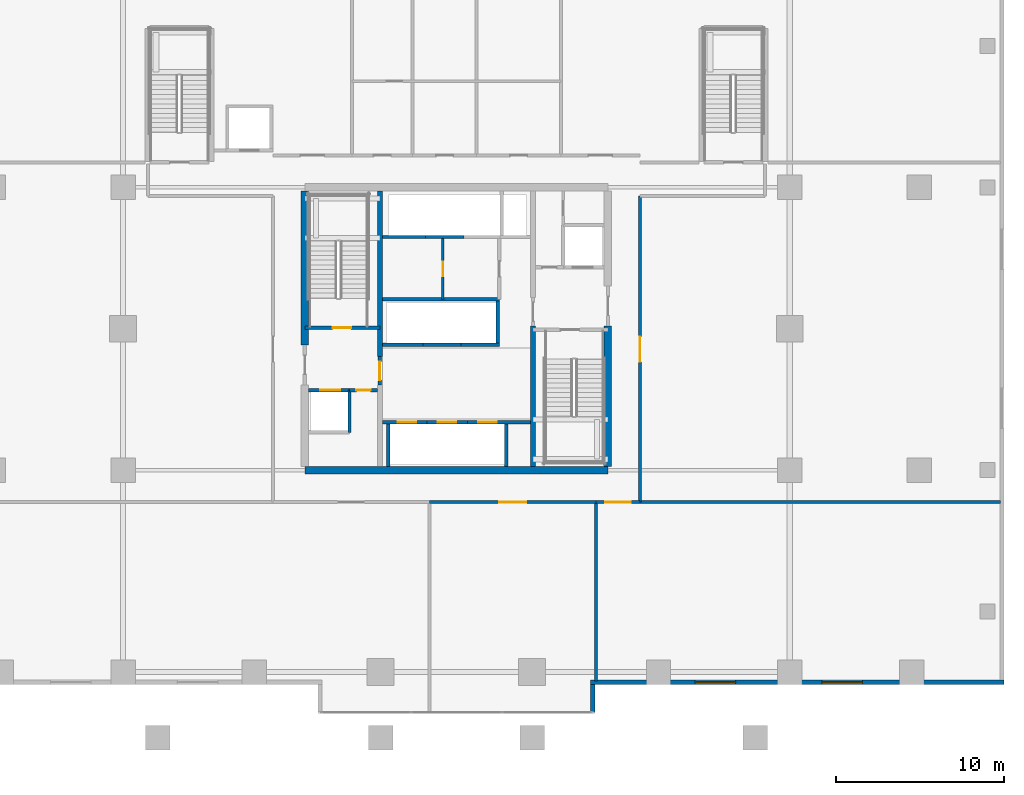
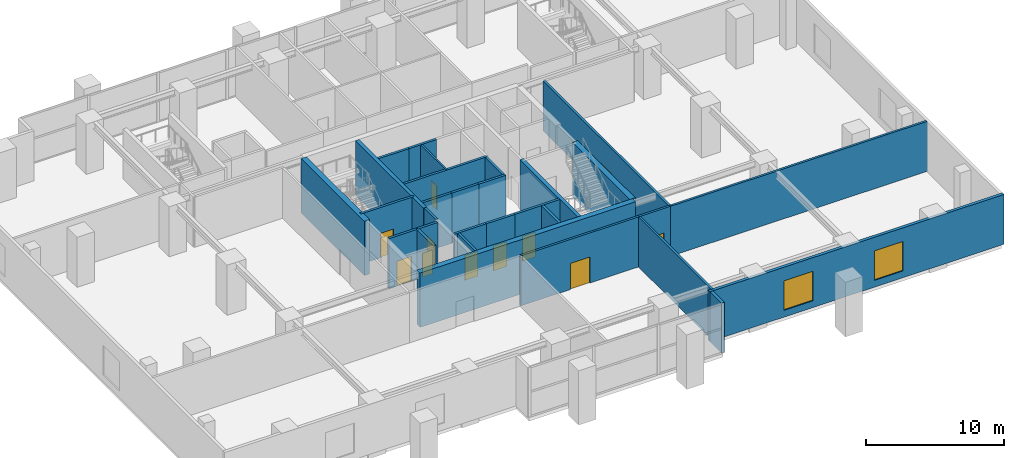
# One storey, part 13 of 20: 30 walls, 11 doors, 2 windows, 13 openings.
"""IFC4 building model written with IfcOpenShell, lengths in metres."""

from ifc_helpers import new_model, si_unit, direction, frame, frame_2d, origin, place, context, subcontext, project, spatial, rectangle, extrude, source, transform, mapped, material, layer, layer_set, type_object, element, fill, save


model = new_model("IFC4")

# Units and contexts
model_context = context("Model", 3, precision=1e-05, world=origin(), true_north=direction((0.0, 1.0)))
body_context = subcontext(model_context, "Body", "Model", "MODEL_VIEW")
ifc_project = project(units=[si_unit("LENGTHUNIT", "METRE"), si_unit("AREAUNIT", "SQUARE_METRE"), si_unit("VOLUMEUNIT", "CUBIC_METRE"), si_unit("PLANEANGLEUNIT", "RADIAN"), si_unit("MASSUNIT", "GRAM", prefix="KILO")], contexts=[model_context])

# Site, building, storey
site_placement = place(None, origin())
site = spatial("IfcSite", under=ifc_project, at=site_placement, CompositionType="ELEMENT")
building_placement = place(site_placement, origin())
building = spatial("IfcBuilding", under=site, at=building_placement, Name="Serunith Strait Residences", CompositionType="ELEMENT")
storey_placement = place(building_placement, frame((0.0, 0.0, 10.5)))
storey = spatial("IfcBuildingStorey", under=building, at=storey_placement, Name="L02", CompositionType="ELEMENT", Elevation=10.5)

# Wall
ifc_material_1 = material(Name="Pale-Silver Aluminium Terracotta-Backed Wall", Category="masonry")
ifc_layer_1 = layer(ifc_material_1, 0.25, Name="Pale-Silver Aluminium Terracotta-Backed Wall")
ifc_layer_set_1 = layer_set([ifc_layer_1], Name="Pale-Silver Aluminium Terracotta-Backed Wall")
wall_type_1 = type_object("IfcWallType", Name="EW-POD-250", PredefinedType="ELEMENTEDWALL", material=ifc_layer_set_1)
wall_1_placement = place(storey_placement, frame((40.5, 2.39990234375, 0.0), z_axis=(0.0, 0.0, 1.0), x_axis=(0.0, 1.0, 0.0)))
element("IfcWall", 1, at=wall_1_placement, inside=storey, type_object=wall_type_1, Name="L02 Podium Envelope Wall 4", PredefinedType="ELEMENTEDWALL", context=body_context, shape_type="SweptSolid", body=[
    extrude(rectangle(XDim=1.675048828125, YDim=0.25, at=frame_2d((0.83740234375, 0.0))), origin(), (0.0, 0.0, 1.0), 4.405029296875),
])

# Wall, openings, windows
wall_2_placement = place(storey_placement, frame((40.375, 4.199951171875, 0.0), z_axis=(0.0, 0.0, 1.0), x_axis=(1.0, 0.0, 0.0)))
wall_2 = element("IfcWall", 2, at=wall_2_placement, inside=storey, type_object=wall_type_1, Name="L02 Podium Envelope Wall 5", PredefinedType="ELEMENTEDWALL", context=body_context, shape_type="SweptSolid", body=[
    extrude(rectangle(XDim=24.550048828125, YDim=0.25, at=frame_2d((12.27490234375, 0.0))), origin(), (0.0, 0.0, 1.0), 4.405029296875),
])
opening_1_placement = place(wall_2_placement, frame((6.201904296875, 0.0, 0.60009765625)))
opening_1 = element("IfcOpeningElement", 3, at=opening_1_placement, cuts=wall_2, Name="Opening W-08", PredefinedType="OPENING", context=body_context, shape_type="SweptSolid", body=[
    extrude(rectangle(XDim=2.39990234375, YDim=2.60009765625, at=frame_2d((1.199951171875, 1.300048828125))), frame((0.0, 0.135009765625, 0.0), z_axis=(0.0, -1.0, 0.0), x_axis=(1.0, 0.0, 0.0)), (0.0, 0.0, 1.0), 0.27001953125),
])
opening_2_placement = place(wall_2_placement, frame((13.73291015625, 0.0, 0.60009765625)))
opening_2 = element("IfcOpeningElement", 4, at=opening_2_placement, cuts=wall_2, Name="Opening W-08", PredefinedType="OPENING", context=body_context, shape_type="SweptSolid", body=[
    extrude(rectangle(XDim=2.39990234375, YDim=2.60009765625, at=frame_2d((1.199951171875, 1.300048828125))), frame((0.0, 0.135009765625, 0.0), z_axis=(0.0, -1.0, 0.0), x_axis=(1.0, 0.0, 0.0)), (0.0, 0.0, 1.0), 0.27001953125),
])
ifc_material_2 = material(Name="Podium Club Operable Window Glass", Category="glass")
window_type = type_object("IfcWindowType", Name="WIN-POD2", PartitioningType="DOUBLE_PANEL_VERTICAL", PredefinedType="WINDOW", material=ifc_material_2)
shared_shape_1 = source(origin(), body_context, "Body", "SweptSolid", [
    extrude(rectangle(XDim=2.39990234375, YDim=2.60009765625, at=frame_2d((1.199951171875, 1.300048828125))), frame((0.0, 0.030029296875, 0.0), z_axis=(0.0, -1.0, 0.0), x_axis=(1.0, 0.0, 0.0)), (0.0, 0.0, 1.0), 0.06005859375),
])
window_1_placement = place(opening_1_placement, origin())
window_1 = element("IfcWindow", 5, at=window_1_placement, inside=storey, type_object=window_type, Name="L02 Podium Window 5A", OverallHeight=2.60009765625, OverallWidth=2.39990234375, PartitioningType="SINGLE_PANEL", PredefinedType="WINDOW", context=body_context, shape_type="MappedRepresentation", body=[
    mapped(shared_shape_1, transform((0.0, 0.0, 0.0), scale=1.0)),
])
fill(opening_1, window_1)
window_2_placement = place(opening_2_placement, origin())
window_2 = element("IfcWindow", 6, at=window_2_placement, inside=storey, type_object=window_type, Name="L02 Podium Window 5B", OverallHeight=2.60009765625, OverallWidth=2.39990234375, PartitioningType="SINGLE_PANEL", PredefinedType="WINDOW", context=body_context, shape_type="MappedRepresentation", body=[
    mapped(shared_shape_1, transform((0.0, 0.0, 0.0), scale=1.0)),
])
fill(opening_2, window_2)

# Wall, opening, door
ifc_material_3 = material(Name="Fire-rated masonry service closet wall", Category="masonry")
ifc_layer_2 = layer(ifc_material_3, 0.14990234375, Name="Fire-rated masonry service closet wall")
ifc_layer_set_2 = layer_set([ifc_layer_2], Name="Fire-rated masonry service closet wall")
wall_type_2 = type_object("IfcWallType", Name="IW-BOH-150", PredefinedType="PARTITIONING", material=ifc_layer_set_2)
wall_3_placement = place(storey_placement, frame((31.60009765625, 26.949951171875, 0.0), z_axis=(0.0, 0.0, 1.0), x_axis=(0.0, 1.0, 0.0)))
wall_3 = element("IfcWall", 7, at=wall_3_placement, inside=storey, type_object=wall_type_2, Name="L02 Partition Wall 014", PredefinedType="PARTITIONING", context=body_context, shape_type="SweptSolid", body=[
    extrude(rectangle(XDim=3.60009765625, YDim=0.14990234375, at=frame_2d((1.800048828125, 0.0))), origin(), (0.0, 0.0, 1.0), 4.419921875),
])
opening_3_placement = place(wall_3_placement, frame((1.375, 0.0, 0.0)))
opening_3 = element("IfcOpeningElement", 8, at=opening_3_placement, cuts=wall_3, Name="Opening FD-850", PredefinedType="OPENING", context=body_context, shape_type="SweptSolid", body=[
    extrude(rectangle(XDim=0.85009765625, YDim=2.10009765625, at=frame_2d((0.425048828125, 1.050048828125))), frame((0.0, 0.0849609375, 0.0), z_axis=(0.0, -1.0, 0.0), x_axis=(1.0, 0.0, 0.0)), (0.0, 0.0, 1.0), 0.169921875),
])
ifc_material_4 = material(Name="Powder-coated steel service closet door", Category="steel")
door_type_1 = type_object("IfcDoorType", Name="FD-BOH-850", OperationType="NOTDEFINED", PredefinedType="DOOR", material=ifc_material_4)
shared_shape_2 = source(origin(), body_context, "Body", "SweptSolid", [
    extrude(rectangle(XDim=0.85009765625, YDim=2.10009765625, at=frame_2d((0.425048828125, 1.050048828125))), frame((0.0, 0.02490234375, 0.0), z_axis=(0.0, -1.0, 0.0), x_axis=(1.0, 0.0, 0.0)), (0.0, 0.0, 1.0), 0.050048828125),
])
door_1_placement = place(opening_3_placement, origin())
door_1 = element("IfcDoor", 9, at=door_1_placement, inside=storey, type_object=door_type_1, Name="L02 Zone Telecoms Door", OperationType="SINGLE_SWING_LEFT", OverallHeight=2.10009765625, OverallWidth=0.85009765625, PredefinedType="DOOR", context=body_context, shape_type="MappedRepresentation", body=[
    mapped(shared_shape_2, transform((0.0, 0.0, 0.0), scale=1.0)),
])
fill(opening_3, door_1)

# Wall
ifc_material_5 = material(Name="Fire-rated acoustic gypsum partition")
ifc_layer_3 = layer(ifc_material_5, 0.179931640625, Name="Fire-rated acoustic gypsum partition")
ifc_layer_set_3 = layer_set([ifc_layer_3], Name="Fire-rated acoustic gypsum partition")
wall_type_3 = type_object("IfcWallType", Name="IW-CORR-180", PredefinedType="PARTITIONING", material=ifc_layer_set_3)
wall_4_placement = place(storey_placement, frame((43.300048828125, 14.89990234375, 0.0), z_axis=(0.0, 0.0, 1.0), x_axis=(1.0, 0.0, 0.0)))
element("IfcWall", 10, at=wall_4_placement, inside=storey, type_object=wall_type_3, Name="L02 Partition Wall 016", PredefinedType="PARTITIONING", context=body_context, shape_type="SweptSolid", body=[
    extrude(rectangle(XDim=21.41796875, YDim=0.179931640625, at=frame_2d((10.708984375, 0.0))), origin(), (0.0, 0.0, 1.0), 4.419921875),
])

# Wall, opening, door
wall_5_placement = place(storey_placement, frame((43.300048828125, 14.89990234375, 0.0), z_axis=(0.0, 0.0, 1.0), x_axis=(0.0, 1.0, 0.0)))
wall_5 = element("IfcWall", 11, at=wall_5_placement, inside=storey, type_object=wall_type_3, Name="L02 Partition Wall 026", PredefinedType="PARTITIONING", context=body_context, shape_type="SweptSolid", body=[
    extrude(rectangle(XDim=18.18017578125, YDim=0.179931640625, at=frame_2d((9.090087890625, 0.0))), origin(), (0.0, 0.0, 1.0), 4.419921875),
])
opening_4_placement = place(wall_5_placement, frame((8.340087890625, 0.0, 0.0)))
opening_4 = element("IfcOpeningElement", 12, at=opening_4_placement, cuts=wall_5, Name="Opening D-POD1500", PredefinedType="OPENING", context=body_context, shape_type="SweptSolid", body=[
    extrude(rectangle(XDim=1.5, YDim=2.25, at=frame_2d((0.75, 1.125))), frame((0.0, 0.10009765625, 0.0), z_axis=(0.0, -1.0, 0.0), x_axis=(1.0, 0.0, 0.0)), (0.0, 0.0, 1.0), 0.199951171875),
])
ifc_material_6 = material(Name="Pale-champagne aluminium glazed double door", Category="aluminium")
door_type_2 = type_object("IfcDoorType", Name="ID-POD-1500", OperationType="DOUBLE_DOOR_SINGLE_SWING", PredefinedType="DOOR", material=ifc_material_6)
shared_shape_3 = source(origin(), body_context, "Body", "SweptSolid", [
    extrude(rectangle(XDim=1.5, YDim=2.25, at=frame_2d((0.75, 1.125))), frame((0.0, 0.02490234375, 0.0), z_axis=(0.0, -1.0, 0.0), x_axis=(1.0, 0.0, 0.0)), (0.0, 0.0, 1.0), 0.050048828125),
])
door_2_placement = place(opening_4_placement, origin())
door_2 = element("IfcDoor", 13, at=door_2_placement, inside=storey, type_object=door_type_2, Name="L02 East Wing Suite Door", OperationType="DOUBLE_DOOR_SINGLE_SWING", OverallHeight=2.25, OverallWidth=1.5, PredefinedType="DOOR", context=body_context, shape_type="MappedRepresentation", body=[
    mapped(shared_shape_3, transform((0.0, 0.0, 0.0), scale=1.0)),
])
fill(opening_4, door_2)

wall_6_placement = place(storey_placement, frame((30.802001953125, 14.89990234375, 0.0), z_axis=(0.0, 0.0, 1.0), x_axis=(1.0, 0.0, 0.0)))
wall_6 = element("IfcWall", 14, at=wall_6_placement, inside=storey, type_object=wall_type_3, Name="L02 Partition Wall 032", PredefinedType="PARTITIONING", context=body_context, shape_type="SweptSolid", body=[
    extrude(rectangle(XDim=9.89794921875, YDim=0.179931640625, at=frame_2d((4.948974609375, 0.0))), origin(), (0.0, 0.0, 1.0), 4.419921875),
])
opening_5_placement = place(wall_6_placement, frame((4.14892578125, 0.0, 0.0)))
opening_5 = element("IfcOpeningElement", 15, at=opening_5_placement, cuts=wall_6, Name="Opening D-POD1600", PredefinedType="OPENING", context=body_context, shape_type="SweptSolid", body=[
    extrude(rectangle(XDim=1.60009765625, YDim=2.300048828125, at=frame_2d((0.800048828125, 1.14990234375))), frame((0.0, 0.10009765625, 0.0), z_axis=(0.0, -1.0, 0.0), x_axis=(1.0, 0.0, 0.0)), (0.0, 0.0, 1.0), 0.199951171875),
])
ifc_material_7 = material(Name="Pale-champagne aluminium glazed concourse door", Category="aluminium")
door_type_3 = type_object("IfcDoorType", Name="ID-POD-1600", OperationType="DOUBLE_DOOR_SINGLE_SWING", PredefinedType="DOOR", material=ifc_material_7)
shared_shape_4 = source(origin(), body_context, "Body", "SweptSolid", [
    extrude(rectangle(XDim=1.60009765625, YDim=2.300048828125, at=frame_2d((0.800048828125, 1.14990234375))), frame((0.0, 0.02490234375, 0.0), z_axis=(0.0, -1.0, 0.0), x_axis=(1.0, 0.0, 0.0)), (0.0, 0.0, 1.0), 0.050048828125),
])
door_3_placement = place(opening_5_placement, origin())
door_3 = element("IfcDoor", 16, at=door_3_placement, inside=storey, type_object=door_type_3, Name="L02 South Central Lounge Door", OperationType="DOUBLE_DOOR_SINGLE_SWING", OverallHeight=2.300048828125, OverallWidth=1.60009765625, PredefinedType="DOOR", context=body_context, shape_type="MappedRepresentation", body=[
    mapped(shared_shape_4, transform((0.0, 0.0, 0.0), scale=1.0)),
])
fill(opening_5, door_3)

wall_7_placement = place(storey_placement, frame((40.701904296875, 14.89990234375, 0.0), z_axis=(0.0, 0.0, 1.0), x_axis=(1.0, 0.0, 0.0)))
wall_7 = element("IfcWall", 17, at=wall_7_placement, inside=storey, type_object=wall_type_3, Name="L02 Partition Wall 033", PredefinedType="PARTITIONING", context=body_context, shape_type="SweptSolid", body=[
    extrude(rectangle(XDim=2.59619140625, YDim=0.179931640625, at=frame_2d((1.298095703125, 0.0))), origin(), (0.0, 0.0, 1.0), 4.419921875),
])
opening_6_placement = place(wall_7_placement, frame((0.548095703125, 0.0, 0.0)))
opening_6 = element("IfcOpeningElement", 18, at=opening_6_placement, cuts=wall_7, Name="Opening D-POD1500", PredefinedType="OPENING", context=body_context, shape_type="SweptSolid", body=[
    extrude(rectangle(XDim=1.5, YDim=2.25, at=frame_2d((0.75, 1.125))), frame((0.0, 0.10009765625, 0.0), z_axis=(0.0, -1.0, 0.0), x_axis=(1.0, 0.0, 0.0)), (0.0, 0.0, 1.0), 0.199951171875),
])
door_4_placement = place(opening_6_placement, origin())
door_4 = element("IfcDoor", 19, at=door_4_placement, inside=storey, type_object=door_type_2, Name="L02 South-East Suite Door", OperationType="DOUBLE_DOOR_SINGLE_SWING", OverallHeight=2.25, OverallWidth=1.5, PredefinedType="DOOR", context=body_context, shape_type="MappedRepresentation", body=[
    mapped(shared_shape_3, transform((0.0, 0.0, 0.0), scale=1.0)),
])
fill(opening_6, door_4)

# Wall
wall_8_placement = place(storey_placement, frame((40.699951171875, 4.281982421875, 0.0), z_axis=(0.0, 0.0, 1.0), x_axis=(0.0, 1.0, 0.0)))
element("IfcWall", 20, at=wall_8_placement, inside=storey, type_object=wall_type_3, Name="L02 Partition Wall 040", PredefinedType="PARTITIONING", context=body_context, shape_type="SweptSolid", body=[
    extrude(rectangle(XDim=10.617919921875, YDim=0.179931640625, at=frame_2d((5.30908203125, 0.0))), origin(), (0.0, 0.0, 1.0), 4.419921875),
])

# Wall, opening, door
ifc_material_8 = material(Name="Autoclaved aerated concrete blockwork", Category="masonry")
ifc_layer_4 = layer(ifc_material_8, 0.199951171875, Name="Autoclaved aerated concrete blockwork")
ifc_layer_set_4 = layer_set([ifc_layer_4], Name="Autoclaved aerated concrete blockwork")
wall_type_4 = type_object("IfcWallType", Name="IW-SHAFT-200", PredefinedType="STANDARD", material=ifc_layer_set_4)
wall_9_placement = place(storey_placement, frame((23.39990234375, 25.25, 0.0), z_axis=(0.0, 0.0, 1.0), x_axis=(1.0, 0.0, 0.0)))
wall_9 = element("IfcWall", 21, at=wall_9_placement, inside=storey, type_object=wall_type_4, Name="L02 ST-1 South Shaft Wall", PredefinedType="STANDARD", context=body_context, shape_type="SweptSolid", body=[
    extrude(rectangle(XDim=4.4501953125, YDim=0.199951171875, at=frame_2d((2.22509765625, 0.0))), origin(), (0.0, 0.0, 1.0), 4.419921875),
])
opening_7_placement = place(wall_9_placement, frame((1.64990234375, 0.0, 0.0)))
opening_7 = element("IfcOpeningElement", 22, at=opening_7_placement, cuts=wall_9, Name="Opening FD-1100", PredefinedType="OPENING", context=body_context, shape_type="SweptSolid", body=[
    extrude(rectangle(XDim=1.10009765625, YDim=2.14990234375, at=frame_2d((0.550048828125, 1.074951171875))), frame((0.0, 0.10986328125, 0.0), z_axis=(0.0, -1.0, 0.0), x_axis=(1.0, 0.0, 0.0)), (0.0, 0.0, 1.0), 0.219970703125),
])
ifc_material_9 = material(Name="Galvanised steel fire door leaf", Category="steel")
door_type_4 = type_object("IfcDoorType", Name="FD-STAIR-1100", OperationType="NOTDEFINED", PredefinedType="DOOR", material=ifc_material_9)
shared_shape_5 = source(origin(), body_context, "Body", "SweptSolid", [
    extrude(rectangle(XDim=1.10009765625, YDim=2.14990234375, at=frame_2d((0.550048828125, 1.074951171875))), frame((0.0, 0.02490234375, 0.0), z_axis=(0.0, -1.0, 0.0), x_axis=(1.0, 0.0, 0.0)), (0.0, 0.0, 1.0), 0.050048828125),
])
door_5_placement = place(opening_7_placement, origin())
door_5 = element("IfcDoor", 23, at=door_5_placement, inside=storey, type_object=door_type_4, Name="L02 ST-1 Escape Stair Door", OperationType="SINGLE_SWING_RIGHT", OverallHeight=2.14990234375, OverallWidth=1.10009765625, PredefinedType="DOOR", context=body_context, shape_type="MappedRepresentation", body=[
    mapped(shared_shape_5, transform((0.0, 0.0, 0.0), scale=1.0)),
])
fill(opening_7, door_5)

wall_10_placement = place(storey_placement, frame((23.625, 21.550048828125, 0.0), z_axis=(0.0, 0.0, 1.0), x_axis=(1.0, 0.0, 0.0)))
wall_10 = element("IfcWall", 24, at=wall_10_placement, inside=storey, type_object=wall_type_4, Name="L02 FL-1 North Shaft Wall", PredefinedType="STANDARD", context=body_context, shape_type="SweptSolid", body=[
    extrude(rectangle(XDim=2.425048828125, YDim=0.199951171875, at=frame_2d((1.21240234375, 0.0))), origin(), (0.0, 0.0, 1.0), 4.419921875),
])
opening_8_placement = place(wall_10_placement, frame((0.675048828125, 0.0, 0.0)))
opening_8 = element("IfcOpeningElement", 25, at=opening_8_placement, cuts=wall_10, Name="Opening LD-FF1200", PredefinedType="OPENING", context=body_context, shape_type="SweptSolid", body=[
    extrude(rectangle(XDim=1.199951171875, YDim=2.199951171875, at=frame_2d((0.60009765625, 1.10009765625))), frame((0.0, 0.10986328125, 0.0), z_axis=(0.0, -1.0, 0.0), x_axis=(1.0, 0.0, 0.0)), (0.0, 0.0, 1.0), 0.219970703125),
])
ifc_material_10 = material(Name="Brushed stainless steel landing door", Category="steel")
door_type_5 = type_object("IfcDoorType", Name="LD-FF-1200", OperationType="DOUBLE_DOOR_SLIDING", PredefinedType="DOOR", material=ifc_material_10)
shared_shape_6 = source(origin(), body_context, "Body", "SweptSolid", [
    extrude(rectangle(XDim=1.199951171875, YDim=2.199951171875, at=frame_2d((0.60009765625, 1.10009765625))), frame((0.0, 0.02490234375, 0.0), z_axis=(0.0, -1.0, 0.0), x_axis=(1.0, 0.0, 0.0)), (0.0, 0.0, 1.0), 0.050048828125),
])
door_6_placement = place(opening_8_placement, origin())
door_6 = element("IfcDoor", 26, at=door_6_placement, inside=storey, type_object=door_type_5, Name="L02 FL-1 Landing Door", OperationType="DOUBLE_DOOR_SLIDING", OverallHeight=2.199951171875, OverallWidth=1.199951171875, PredefinedType="DOOR", context=body_context, shape_type="MappedRepresentation", body=[
    mapped(shared_shape_6, transform((0.0, 0.0, 0.0), scale=1.0)),
])
fill(opening_8, door_6)

wall_11_placement = place(storey_placement, frame((28.0, 19.64990234375, 0.0), z_axis=(0.0, 0.0, 1.0), x_axis=(1.0, 0.0, 0.0)))
wall_11 = element("IfcWall", 27, at=wall_11_placement, inside=storey, type_object=wall_type_4, Name="L02 PL-1 North Shaft Wall", PredefinedType="STANDARD", context=body_context, shape_type="SweptSolid", body=[
    extrude(rectangle(XDim=2.64990234375, YDim=0.199951171875, at=frame_2d((1.324951171875, 0.0))), origin(), (0.0, 0.0, 1.0), 4.419921875),
])
opening_9_placement = place(wall_11_placement, frame((0.89990234375, 0.0, 0.0)))
opening_9 = element("IfcOpeningElement", 28, at=opening_9_placement, cuts=wall_11, Name="Opening LD-1100", PredefinedType="OPENING", context=body_context, shape_type="SweptSolid", body=[
    extrude(rectangle(XDim=1.10009765625, YDim=2.199951171875, at=frame_2d((0.550048828125, 1.10009765625))), frame((0.0, 0.10986328125, 0.0), z_axis=(0.0, -1.0, 0.0), x_axis=(1.0, 0.0, 0.0)), (0.0, 0.0, 1.0), 0.219970703125),
])
ifc_material_11 = material(Name="Pale-champagne stainless landing door")
door_type_6 = type_object("IfcDoorType", Name="LD-LIFT-1100", OperationType="DOUBLE_DOOR_SLIDING", PredefinedType="DOOR", material=ifc_material_11)
shared_shape_7 = source(origin(), body_context, "Body", "SweptSolid", [
    extrude(rectangle(XDim=1.10009765625, YDim=2.199951171875, at=frame_2d((0.550048828125, 1.10009765625))), frame((0.0, 0.02490234375, 0.0), z_axis=(0.0, -1.0, 0.0), x_axis=(1.0, 0.0, 0.0)), (0.0, 0.0, 1.0), 0.050048828125),
])
door_7_placement = place(opening_9_placement, origin())
door_7 = element("IfcDoor", 29, at=door_7_placement, inside=storey, type_object=door_type_6, Name="L02 PL-1 Landing Door", OperationType="DOUBLE_DOOR_SLIDING", OverallHeight=2.199951171875, OverallWidth=1.10009765625, PredefinedType="DOOR", context=body_context, shape_type="MappedRepresentation", body=[
    mapped(shared_shape_7, transform((0.0, 0.0, 0.0), scale=1.0)),
])
fill(opening_9, door_7)

# Wall
wall_12_placement = place(storey_placement, frame((28.35009765625, 17.02490234375, 0.0), z_axis=(0.0, 0.0, 1.0), x_axis=(0.0, 1.0, 0.0)))
element("IfcWall", 30, at=wall_12_placement, inside=storey, type_object=wall_type_4, Name="L02 PL-1 West Shaft Wall", PredefinedType="STANDARD", context=body_context, shape_type="SweptSolid", body=[
    extrude(rectangle(XDim=2.525146484375, YDim=0.199951171875, at=frame_2d((1.2626953125, 0.0))), origin(), (0.0, 0.0, 1.0), 4.419921875),
])

# Wall, opening, door
wall_13_placement = place(storey_placement, frame((30.64990234375, 19.64990234375, 0.0), z_axis=(0.0, 0.0, 1.0), x_axis=(1.0, 0.0, 0.0)))
wall_13 = element("IfcWall", 31, at=wall_13_placement, inside=storey, type_object=wall_type_4, Name="L02 PL-2 North Shaft Wall", PredefinedType="STANDARD", context=body_context, shape_type="SweptSolid", body=[
    extrude(rectangle(XDim=2.400146484375, YDim=0.199951171875, at=frame_2d((1.2001953125, 0.0))), origin(), (0.0, 0.0, 1.0), 4.419921875),
])
opening_10_placement = place(wall_13_placement, frame((0.64990234375, 0.0, 0.0)))
opening_10 = element("IfcOpeningElement", 32, at=opening_10_placement, cuts=wall_13, Name="Opening LD-1100", PredefinedType="OPENING", context=body_context, shape_type="SweptSolid", body=[
    extrude(rectangle(XDim=1.10009765625, YDim=2.199951171875, at=frame_2d((0.550048828125, 1.10009765625))), frame((0.0, 0.10986328125, 0.0), z_axis=(0.0, -1.0, 0.0), x_axis=(1.0, 0.0, 0.0)), (0.0, 0.0, 1.0), 0.219970703125),
])
door_8_placement = place(opening_10_placement, origin())
door_8 = element("IfcDoor", 33, at=door_8_placement, inside=storey, type_object=door_type_6, Name="L02 PL-2 Landing Door", OperationType="DOUBLE_DOOR_SLIDING", OverallHeight=2.199951171875, OverallWidth=1.10009765625, PredefinedType="DOOR", context=body_context, shape_type="MappedRepresentation", body=[
    mapped(shared_shape_7, transform((0.0, 0.0, 0.0), scale=1.0)),
])
fill(opening_10, door_8)

wall_14_placement = place(storey_placement, frame((33.050048828125, 19.64990234375, 0.0), z_axis=(0.0, 0.0, 1.0), x_axis=(1.0, 0.0, 0.0)))
wall_14 = element("IfcWall", 34, at=wall_14_placement, inside=storey, type_object=wall_type_4, Name="L02 PL-3 North Shaft Wall", PredefinedType="STANDARD", context=body_context, shape_type="SweptSolid", body=[
    extrude(rectangle(XDim=3.75, YDim=0.199951171875, at=frame_2d((1.875, 0.0))), origin(), (0.0, 0.0, 1.0), 4.419921875),
])
opening_11_placement = place(wall_14_placement, frame((0.64990234375, 0.0, 0.0)))
opening_11 = element("IfcOpeningElement", 35, at=opening_11_placement, cuts=wall_14, Name="Opening LD-1100", PredefinedType="OPENING", context=body_context, shape_type="SweptSolid", body=[
    extrude(rectangle(XDim=1.10009765625, YDim=2.199951171875, at=frame_2d((0.550048828125, 1.10009765625))), frame((0.0, 0.10986328125, 0.0), z_axis=(0.0, -1.0, 0.0), x_axis=(1.0, 0.0, 0.0)), (0.0, 0.0, 1.0), 0.219970703125),
])
door_9_placement = place(opening_11_placement, origin())
door_9 = element("IfcDoor", 36, at=door_9_placement, inside=storey, type_object=door_type_6, Name="L02 PL-3 Landing Door", OperationType="DOUBLE_DOOR_SLIDING", OverallHeight=2.199951171875, OverallWidth=1.10009765625, PredefinedType="DOOR", context=body_context, shape_type="MappedRepresentation", body=[
    mapped(shared_shape_7, transform((0.0, 0.0, 0.0), scale=1.0)),
])
fill(opening_11, door_9)

# Walls
wall_15_placement = place(storey_placement, frame((35.35009765625, 17.02490234375, 0.0), z_axis=(0.0, 0.0, 1.0), x_axis=(0.0, 1.0, 0.0)))
element("IfcWall", 37, at=wall_15_placement, inside=storey, type_object=wall_type_4, Name="L02 PL-3 East Shaft Wall", PredefinedType="STANDARD", context=body_context, shape_type="SweptSolid", body=[
    extrude(rectangle(XDim=2.525146484375, YDim=0.199951171875, at=frame_2d((1.2626953125, 0.0))), origin(), (0.0, 0.0, 1.0), 4.419921875),
])
wall_16_placement = place(storey_placement, frame((28.0, 24.25, 0.0), z_axis=(0.0, 0.0, 1.0), x_axis=(1.0, 0.0, 0.0)))
element("IfcWall", 38, at=wall_16_placement, inside=storey, type_object=wall_type_4, Name="L02 PL-4 South Shaft Wall", PredefinedType="STANDARD", context=body_context, shape_type="SweptSolid", body=[
    extrude(rectangle(XDim=2.425048828125, YDim=0.199951171875, at=frame_2d((1.21240234375, 0.0))), origin(), (0.0, 0.0, 1.0), 4.419921875),
])
wall_17_placement = place(storey_placement, frame((30.425048828125, 24.25, 0.0), z_axis=(0.0, 0.0, 1.0), x_axis=(1.0, 0.0, 0.0)))
element("IfcWall", 39, at=wall_17_placement, inside=storey, type_object=wall_type_4, Name="L02 PL-5 South Shaft Wall", PredefinedType="STANDARD", context=body_context, shape_type="SweptSolid", body=[
    extrude(rectangle(XDim=2.25, YDim=0.199951171875, at=frame_2d((1.125, 0.0))), origin(), (0.0, 0.0, 1.0), 4.419921875),
])
wall_18_placement = place(storey_placement, frame((32.675048828125, 24.25, 0.0), z_axis=(0.0, 0.0, 1.0), x_axis=(1.0, 0.0, 0.0)))
element("IfcWall", 40, at=wall_18_placement, inside=storey, type_object=wall_type_4, Name="L02 PL-6 South Shaft Wall", PredefinedType="STANDARD", context=body_context, shape_type="SweptSolid", body=[
    extrude(rectangle(XDim=2.27490234375, YDim=0.199951171875, at=frame_2d((1.137451171875, 0.0))), origin(), (0.0, 0.0, 1.0), 4.419921875),
])
wall_19_placement = place(storey_placement, frame((34.85009765625, 24.35009765625, 0.0), z_axis=(0.0, 0.0, 1.0), x_axis=(0.0, 1.0, 0.0)))
element("IfcWall", 41, at=wall_19_placement, inside=storey, type_object=wall_type_4, Name="L02 PL-6 East Shaft Wall", PredefinedType="STANDARD", context=body_context, shape_type="SweptSolid", body=[
    extrude(rectangle(XDim=2.5, YDim=0.199951171875, at=frame_2d((1.25, 0.0))), origin(), (0.0, 0.0, 1.0), 4.419921875),
])
wall_20_placement = place(storey_placement, frame((28.0, 30.64990234375, 0.0), z_axis=(0.0, 0.0, 1.0), x_axis=(1.0, 0.0, 0.0)))
element("IfcWall", 42, at=wall_20_placement, inside=storey, type_object=wall_type_4, Name="L02 PL-7 South Shaft Wall", PredefinedType="STANDARD", context=body_context, shape_type="SweptSolid", body=[
    extrude(rectangle(XDim=2.550048828125, YDim=0.199951171875, at=frame_2d((1.27490234375, 0.0))), origin(), (0.0, 0.0, 1.0), 4.419921875),
])
wall_21_placement = place(storey_placement, frame((30.550048828125, 30.64990234375, 0.0), z_axis=(0.0, 0.0, 1.0), x_axis=(1.0, 0.0, 0.0)))
element("IfcWall", 43, at=wall_21_placement, inside=storey, type_object=wall_type_4, Name="L02 PL-8 South Shaft Wall", PredefinedType="STANDARD", context=body_context, shape_type="SweptSolid", body=[
    extrude(rectangle(XDim=2.300048828125, YDim=0.199951171875, at=frame_2d((1.14990234375, 0.0))), origin(), (0.0, 0.0, 1.0), 4.419921875),
])
wall_22_placement = place(storey_placement, frame((26.050048828125, 19.050048828125, 0.0), z_axis=(0.0, 0.0, 1.0), x_axis=(0.0, 1.0, 0.0)))
element("IfcWall", 44, at=wall_22_placement, inside=storey, type_object=wall_type_4, Name="L02 Partition Wall 001", PredefinedType="STANDARD", context=body_context, shape_type="SweptSolid", body=[
    extrude(rectangle(XDim=2.5, YDim=0.199951171875, at=frame_2d((1.25, 0.0))), origin(), (0.0, 0.0, 1.0), 4.419921875),
])

# Wall, opening, door
wall_23_placement = place(storey_placement, frame((26.052001953125, 21.550048828125, 0.0), z_axis=(0.0, 0.0, 1.0), x_axis=(1.0, 0.0, 0.0)))
wall_23 = element("IfcWall", 45, at=wall_23_placement, inside=storey, type_object=wall_type_4, Name="L02 Partition Wall 003", PredefinedType="STANDARD", context=body_context, shape_type="SweptSolid", body=[
    extrude(rectangle(XDim=1.64794921875, YDim=0.199951171875, at=frame_2d((0.823974609375, 0.0))), origin(), (0.0, 0.0, 1.0), 4.419921875),
])
opening_12_placement = place(wall_23_placement, frame((0.39892578125, 0.0, 0.0)))
opening_12 = element("IfcOpeningElement", 46, at=opening_12_placement, cuts=wall_23, Name="Opening FD-850", PredefinedType="OPENING", context=body_context, shape_type="SweptSolid", body=[
    extrude(rectangle(XDim=0.85009765625, YDim=2.10009765625, at=frame_2d((0.425048828125, 1.050048828125))), frame((0.0, 0.10986328125, 0.0), z_axis=(0.0, -1.0, 0.0), x_axis=(1.0, 0.0, 0.0)), (0.0, 0.0, 1.0), 0.219970703125),
])
door_10_placement = place(opening_12_placement, origin())
door_10 = element("IfcDoor", 47, at=door_10_placement, inside=storey, type_object=door_type_1, Name="L02 South-West Core Service Door", OperationType="SINGLE_SWING_LEFT", OverallHeight=2.10009765625, OverallWidth=0.85009765625, PredefinedType="DOOR", context=body_context, shape_type="MappedRepresentation", body=[
    mapped(shared_shape_2, transform((0.0, 0.0, 0.0), scale=1.0)),
])
fill(opening_12, door_10)

wall_24_placement = place(storey_placement, frame((27.85009765625, 21.85205078125, 0.0), z_axis=(0.0, 0.0, 1.0), x_axis=(0.0, 1.0, 0.0)))
wall_24 = element("IfcWall", 48, at=wall_24_placement, inside=storey, type_object=wall_type_4, Name="L02 Partition Wall 009", PredefinedType="STANDARD", context=body_context, shape_type="SweptSolid", body=[
    extrude(rectangle(XDim=1.696044921875, YDim=0.199951171875, at=frame_2d((0.84814453125, 0.0))), origin(), (0.0, 0.0, 1.0), 4.419921875),
])
opening_13_placement = place(wall_24_placement, frame((0.298095703125, 0.0, 0.0)))
opening_13 = element("IfcOpeningElement", 49, at=opening_13_placement, cuts=wall_24, Name="Opening FD-FFL", PredefinedType="OPENING", context=body_context, shape_type="SweptSolid", body=[
    extrude(rectangle(XDim=1.10009765625, YDim=2.14990234375, at=frame_2d((0.550048828125, 1.074951171875))), frame((0.0, 0.10986328125, 0.0), z_axis=(0.0, -1.0, 0.0), x_axis=(1.0, 0.0, 0.0)), (0.0, 0.0, 1.0), 0.219970703125),
])
ifc_material_12 = material(Name="Glazed steel smoke-lobby fire door", Category="steel")
door_type_7 = type_object("IfcDoorType", Name="FD-FFL-1100", OperationType="NOTDEFINED", PredefinedType="DOOR", material=ifc_material_12)
door_11_placement = place(opening_13_placement, origin())
door_11 = element("IfcDoor", 50, at=door_11_placement, inside=storey, type_object=door_type_7, Name="L02 FFL-1 Lift Lobby Door", OperationType="SINGLE_SWING_LEFT", OverallHeight=2.14990234375, OverallWidth=1.10009765625, PredefinedType="DOOR", context=body_context, shape_type="MappedRepresentation", body=[
    mapped(shared_shape_5, transform((0.0, 0.0, 0.0), scale=1.0)),
])
fill(opening_13, door_11)

# Walls
wall_25_placement = place(storey_placement, frame((28.0, 26.949951171875, 0.0), z_axis=(0.0, 0.0, 1.0), x_axis=(1.0, 0.0, 0.0)))
element("IfcWall", 51, at=wall_25_placement, inside=storey, type_object=wall_type_4, Name="L02 Partition Wall 011", PredefinedType="STANDARD", context=body_context, shape_type="SweptSolid", body=[
    extrude(rectangle(XDim=6.949951171875, YDim=0.199951171875, at=frame_2d((3.47509765625, 0.0))), origin(), (0.0, 0.0, 1.0), 4.419921875),
])
ifc_material_13 = material(Name="Concrete C80/95", Category="concrete")
ifc_layer_5 = layer(ifc_material_13, 0.300048828125, Name="Concrete C80/95")
ifc_layer_set_5 = layer_set([ifc_layer_5], Name="Concrete C80/95")
wall_type_5 = type_object("IfcWallType", Name="SW-300-C80", PredefinedType="SHEAR", material=ifc_layer_set_5)
wall_26_placement = place(storey_placement, frame((27.85009765625, 23.550048828125, -0.3798828125), z_axis=(0.0, 0.0, 1.0), x_axis=(0.0, 1.0, 0.0)))
element("IfcWall", 52, at=wall_26_placement, inside=storey, type_object=wall_type_5, Name="L02 Core Internal West Web North Pier", PredefinedType="SHEAR", context=body_context, shape_type="SweptSolid", body=[
    extrude(rectangle(XDim=9.824951171875, YDim=0.300048828125, at=frame_2d((4.91259765625, 0.0))), origin(), (0.0, 0.0, 1.0), 4.7978515625),
])
wall_27_placement = place(storey_placement, frame((36.949951171875, 17.02490234375, -0.3798828125), z_axis=(0.0, 0.0, 1.0), x_axis=(0.0, 1.0, 0.0)))
element("IfcWall", 53, at=wall_27_placement, inside=storey, type_object=wall_type_5, Name="L02 Core Internal East Web South Pier", PredefinedType="SHEAR", context=body_context, shape_type="SweptSolid", body=[
    extrude(rectangle(XDim=8.3251953125, YDim=0.300048828125, at=frame_2d((4.16259765625, 0.0))), origin(), (0.0, 0.0, 1.0), 4.7978515625),
])
ifc_layer_6 = layer(ifc_material_13, 0.449951171875, Name="Concrete C80/95")
ifc_layer_set_6 = layer_set([ifc_layer_6], Name="Concrete C80/95")
wall_type_6 = type_object("IfcWallType", Name="SW-450-C80", PredefinedType="SHEAR", material=ifc_layer_set_6)
wall_28_placement = place(storey_placement, frame((23.39990234375, 16.800048828125, -0.3798828125), z_axis=(0.0, 0.0, 1.0), x_axis=(1.0, 0.0, 0.0)))
element("IfcWall", 54, at=wall_28_placement, inside=storey, type_object=wall_type_6, Name="L02 Core South Shear Wall", PredefinedType="SHEAR", context=body_context, shape_type="SweptSolid", body=[
    extrude(rectangle(XDim=18.0, YDim=0.449951171875, at=frame_2d((9.0, 0.0))), origin(), (0.0, 0.0, 1.0), 4.7978515625),
])
wall_29_placement = place(storey_placement, frame((23.39990234375, 24.25, -0.3798828125), z_axis=(0.0, 0.0, 1.0), x_axis=(0.0, 1.0, 0.0)))
element("IfcWall", 55, at=wall_29_placement, inside=storey, type_object=wall_type_6, Name="L02 Core West Shear Wall North Pier", PredefinedType="SHEAR", context=body_context, shape_type="SweptSolid", body=[
    extrude(rectangle(XDim=9.125, YDim=0.449951171875, at=frame_2d((4.5625, 0.0))), origin(), (0.0, 0.0, 1.0), 4.7978515625),
])
wall_30_placement = place(storey_placement, frame((41.39990234375, 17.02490234375, -0.3798828125), z_axis=(0.0, 0.0, 1.0), x_axis=(0.0, 1.0, 0.0)))
element("IfcWall", 56, at=wall_30_placement, inside=storey, type_object=wall_type_6, Name="L02 Core East Shear Wall South Pier", PredefinedType="SHEAR", context=body_context, shape_type="SweptSolid", body=[
    extrude(rectangle(XDim=8.3251953125, YDim=0.449951171875, at=frame_2d((4.16259765625, 0.0))), origin(), (0.0, 0.0, 1.0), 4.7978515625),
])

save(model, "model.ifc")
